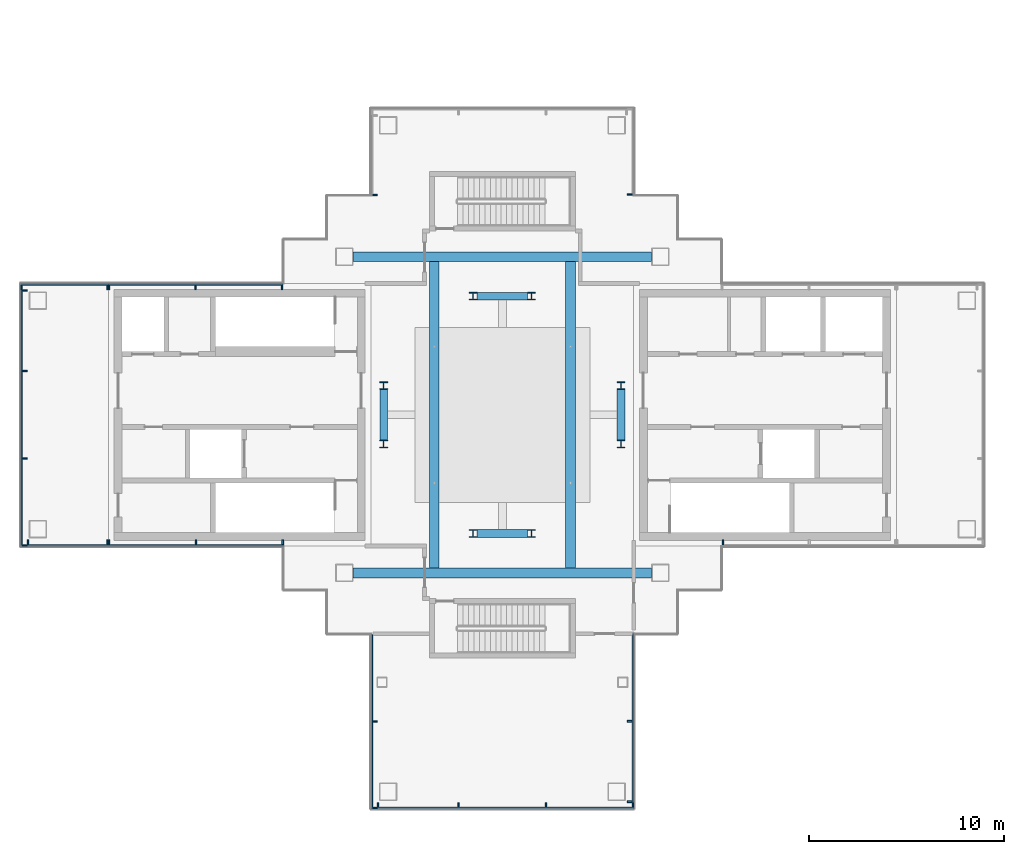
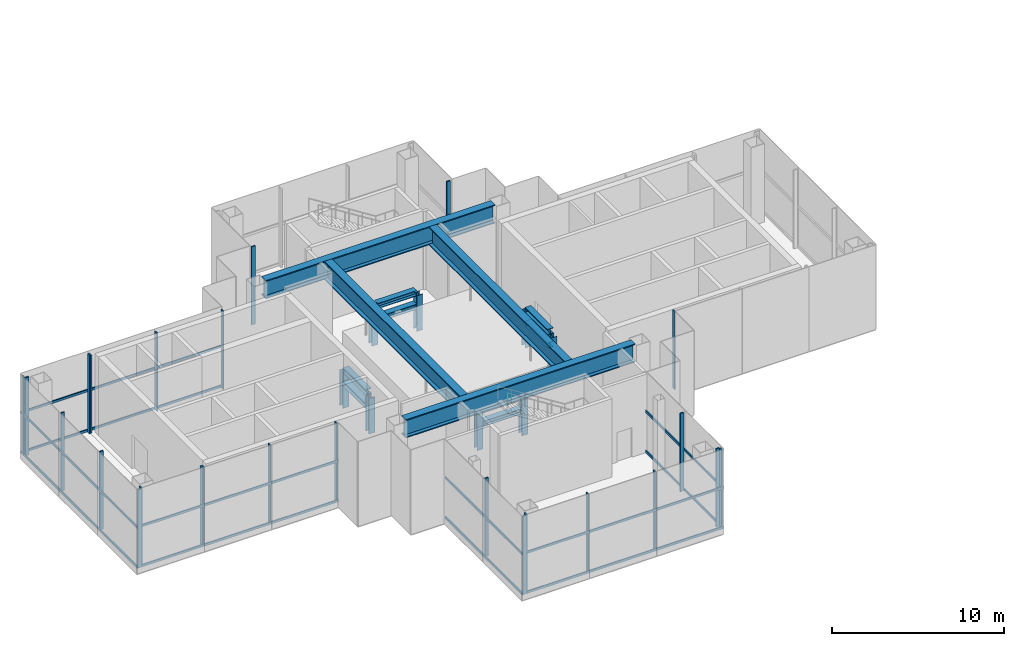
# One storey, part 3 of 17: 49 members, 12 beams, 11 elements without a shape of their own.
"""IFC4 building model written with IfcOpenShell, lengths in metres."""

from ifc_helpers import new_model, si_unit, direction, frame, origin, origin_2d, place, context, subcontext, project, spatial, rectangle, i_section, extrude, material, layer, layer_set, material_profile, profile_set, type_object, element, aggregate, save


model = new_model("IFC4")

# Units and contexts
model_context = context("Model", 3, precision=1e-05, world=origin(), true_north=direction((0.0, 1.0)))
body_context = subcontext(model_context, "Body", "Model", "MODEL_VIEW")
ifc_project = project(units=[si_unit("LENGTHUNIT", "METRE"), si_unit("AREAUNIT", "SQUARE_METRE"), si_unit("VOLUMEUNIT", "CUBIC_METRE"), si_unit("PLANEANGLEUNIT", "RADIAN"), si_unit("MASSUNIT", "GRAM", prefix="KILO")], contexts=[model_context])

# Site, building, storey
site_placement = place(None, origin())
site = spatial("IfcSite", under=ifc_project, at=site_placement, CompositionType="ELEMENT")
building_placement = place(site_placement, origin())
building = spatial("IfcBuilding", under=site, at=building_placement, Name="Shamsa Quay Exchange Towers", CompositionType="ELEMENT")
storey_placement = place(building_placement, frame((0.0, 0.0, 278.300048828125)))
storey = spatial("IfcBuildingStorey", under=building, at=storey_placement, Name="L67", CompositionType="ELEMENT", Elevation=278.300048828125)

# Curtain wall, members
ifc_material_1 = material(Name="Aluminium EN AW-6063 T6, black anodised", Category="aluminium")
ifc_layer = layer(ifc_material_1, 0.364013671875)
ifc_layer_set = layer_set([ifc_layer], Name="CW-5 LANTERN GLAZING")
curtain_wall_type = type_object("IfcCurtainWallType", Name="CW-5 LANTERN GLAZING", PredefinedType="NOTDEFINED", material=ifc_layer_set)
curtain_wall_1_placement = place(storey_placement, origin())
curtain_wall_1 = element("IfcCurtainWall", 1, at=curtain_wall_1_placement, inside=storey, type_object=curtain_wall_type, Name="CW5 T1-FLK-V-W L67", PredefinedType="NOTDEFINED")
ifc_material_profile_1 = material_profile(ifc_material_1, rectangle(XDim=0.239990234375, YDim=0.080078125, at=origin_2d()), Name="MU80x240")
ifc_profile_set_1 = profile_set([ifc_material_profile_1], Name="Aluminium EN AW-6063 T6, black anodised")
member_type_1 = type_object("IfcMemberType", Name="CW5 MULLION 80x240", PredefinedType="MULLION", material=ifc_profile_set_1)
member_1_placement = place(storey_placement, frame((-40.300048828125, -15.77294921875, 0.0)))
member_1 = element("IfcMember", 2, at=member_1_placement, type_object=member_type_1, Name="CW5 mullion", PredefinedType="MULLION", context=body_context, shape_type="SweptSolid", body=[
    extrude(rectangle(XDim=0.239990234375, YDim=0.080078125, at=origin_2d()), origin(), (0.0, 0.0, 1.0), 5.550048828125),
])
member_2_placement = place(storey_placement, frame((-40.300048828125, -20.2099609375, 0.0)))
member_2 = element("IfcMember", 3, at=member_2_placement, type_object=member_type_1, Name="CW5 mullion", PredefinedType="MULLION", context=body_context, shape_type="SweptSolid", body=[
    extrude(rectangle(XDim=0.239990234375, YDim=0.080078125, at=origin_2d()), origin(), (0.0, 0.0, 1.0), 5.550048828125),
])

curtain_wall_2_placement = place(storey_placement, origin())
curtain_wall_2 = element("IfcCurtainWall", 4, at=curtain_wall_2_placement, inside=storey, type_object=curtain_wall_type, Name="CW5 T1-END-V- L67", PredefinedType="NOTDEFINED")
member_3_placement = place(storey_placement, frame((-40.137939453125, -20.050048828125, 0.0), z_axis=(0.0, 0.0, 1.0), x_axis=(0.0, 1.0, 0.0)))
member_3 = element("IfcMember", 5, at=member_3_placement, type_object=member_type_1, Name="CW5 mullion", PredefinedType="MULLION", context=body_context, shape_type="SweptSolid", body=[
    extrude(rectangle(XDim=0.239990234375, YDim=0.080078125, at=origin_2d()), origin(), (0.0, 0.0, 1.0), 5.550048828125),
])
member_4_placement = place(storey_placement, frame((-36.0, -20.050048828125, 0.0), z_axis=(0.0, 0.0, 1.0), x_axis=(0.0, 1.0, 0.0)))
member_4 = element("IfcMember", 6, at=member_4_placement, type_object=member_type_1, Name="CW5 mullion", PredefinedType="MULLION", context=body_context, shape_type="SweptSolid", body=[
    extrude(rectangle(XDim=0.239990234375, YDim=0.080078125, at=origin_2d()), origin(), (0.0, 0.0, 1.0), 5.550048828125),
])
member_5_placement = place(storey_placement, frame((-31.5, -20.050048828125, 0.0), z_axis=(0.0, 0.0, 1.0), x_axis=(0.0, 1.0, 0.0)))
member_5 = element("IfcMember", 7, at=member_5_placement, type_object=member_type_1, Name="CW5 mullion", PredefinedType="MULLION", context=body_context, shape_type="SweptSolid", body=[
    extrude(rectangle(XDim=0.239990234375, YDim=0.080078125, at=origin_2d()), origin(), (0.0, 0.0, 1.0), 5.550048828125),
])
member_6_placement = place(storey_placement, frame((-27.0400390625, -20.050048828125, 0.0), z_axis=(0.0, 0.0, 1.0), x_axis=(0.0, 1.0, 0.0)))
member_6 = element("IfcMember", 8, at=member_6_placement, type_object=member_type_1, Name="CW5 mullion", PredefinedType="MULLION", context=body_context, shape_type="SweptSolid", body=[
    extrude(rectangle(XDim=0.239990234375, YDim=0.080078125, at=origin_2d()), origin(), (0.0, 0.0, 1.0), 5.550048828125),
])

curtain_wall_3_placement = place(storey_placement, origin())
curtain_wall_3 = element("IfcCurtainWall", 9, at=curtain_wall_3_placement, inside=storey, type_object=curtain_wall_type, Name="CW5 T1-FLK-V-E L67", PredefinedType="NOTDEFINED")
member_7_placement = place(storey_placement, frame((-27.199951171875, -19.887939453125, 0.0), z_axis=(0.0, 0.0, 1.0), x_axis=(-1.0, 0.0, 0.0)))
member_7 = element("IfcMember", 10, at=member_7_placement, type_object=member_type_1, Name="CW5 mullion", PredefinedType="MULLION", context=body_context, shape_type="SweptSolid", body=[
    extrude(rectangle(XDim=0.239990234375, YDim=0.080078125, at=origin_2d()), origin(), (0.0, 0.0, 1.0), 5.550048828125),
])
member_8_placement = place(storey_placement, frame((-27.199951171875, -15.75, 0.0), z_axis=(0.0, 0.0, 1.0), x_axis=(-1.0, 0.0, 0.0)))
member_8 = element("IfcMember", 11, at=member_8_placement, type_object=member_type_1, Name="CW5 mullion", PredefinedType="MULLION", context=body_context, shape_type="SweptSolid", body=[
    extrude(rectangle(XDim=0.239990234375, YDim=0.080078125, at=origin_2d()), origin(), (0.0, 0.0, 1.0), 5.550048828125),
])

# Curtain wall, member
curtain_wall_4_placement = place(storey_placement, origin())
curtain_wall_4 = element("IfcCurtainWall", 12, at=curtain_wall_4_placement, inside=storey, type_object=curtain_wall_type, Name="CW5 T1-FLK-U+S L67", PredefinedType="NOTDEFINED")
member_9_placement = place(storey_placement, frame((-22.4140625, -6.550048828125, 0.0), z_axis=(0.0, 0.0, 1.0), x_axis=(0.0, 1.0, 0.0)))
member_9 = element("IfcMember", 13, at=member_9_placement, type_object=member_type_1, Name="CW5 mullion", PredefinedType="MULLION", context=body_context, shape_type="SweptSolid", body=[
    extrude(rectangle(XDim=0.239990234375, YDim=0.080078125, at=origin_2d()), origin(), (0.0, 0.0, 1.0), 5.550048828125),
])
aggregate(curtain_wall_4, [member_9])

curtain_wall_5_placement = place(storey_placement, origin())
curtain_wall_5 = element("IfcCurtainWall", 14, at=curtain_wall_5_placement, inside=storey, type_object=curtain_wall_type, Name="CW5 T1-FLK-V+E L67", PredefinedType="NOTDEFINED")
member_10_placement = place(storey_placement, frame((-27.199951171875, 11.3359375, 0.0), z_axis=(0.0, 0.0, 1.0), x_axis=(-1.0, 0.0, 0.0)))
member_10 = element("IfcMember", 15, at=member_10_placement, type_object=member_type_1, Name="CW5 mullion", PredefinedType="MULLION", context=body_context, shape_type="SweptSolid", body=[
    extrude(rectangle(XDim=0.239990234375, YDim=0.080078125, at=origin_2d()), origin(), (0.0, 0.0, 1.0), 5.550048828125),
])
aggregate(curtain_wall_5, [member_10])

curtain_wall_6_placement = place(storey_placement, origin())
curtain_wall_6 = element("IfcCurtainWall", 16, at=curtain_wall_6_placement, inside=storey, type_object=curtain_wall_type, Name="CW5 T1-FLK-V+W L67", PredefinedType="NOTDEFINED")
member_11_placement = place(storey_placement, frame((-40.300048828125, 11.2900390625, 0.0)))
member_11 = element("IfcMember", 17, at=member_11_placement, type_object=member_type_1, Name="CW5 mullion", PredefinedType="MULLION", context=body_context, shape_type="SweptSolid", body=[
    extrude(rectangle(XDim=0.239990234375, YDim=0.080078125, at=origin_2d()), origin(), (0.0, 0.0, 1.0), 5.550048828125),
])
aggregate(curtain_wall_6, [member_11])

# Curtain wall, members
curtain_wall_7_placement = place(storey_placement, origin())
curtain_wall_7 = element("IfcCurtainWall", 18, at=curtain_wall_7_placement, inside=storey, type_object=curtain_wall_type, Name="CW5 T1-FLK-U-N L67", PredefinedType="NOTDEFINED")
member_12_placement = place(storey_placement, frame((-45.0859375, 6.550048828125, 0.0), z_axis=(0.0, 0.0, 1.0), x_axis=(0.0, -1.0, 0.0)))
member_12 = element("IfcMember", 19, at=member_12_placement, type_object=member_type_1, Name="CW5 mullion", PredefinedType="MULLION", context=body_context, shape_type="SweptSolid", body=[
    extrude(rectangle(XDim=0.239990234375, YDim=0.080078125, at=origin_2d()), origin(), (0.0, 0.0, 1.0), 5.550048828125),
])
member_13_placement = place(storey_placement, frame((-49.52294921875, 6.550048828125, 0.0), z_axis=(0.0, 0.0, 1.0), x_axis=(0.0, -1.0, 0.0)))
member_13 = element("IfcMember", 20, at=member_13_placement, type_object=member_type_1, Name="CW5 mullion", PredefinedType="MULLION", context=body_context, shape_type="SweptSolid", body=[
    extrude(rectangle(XDim=0.239990234375, YDim=0.080078125, at=origin_2d()), origin(), (0.0, 0.0, 1.0), 5.550048828125),
])
member_14_placement = place(storey_placement, frame((-53.9599609375, 6.550048828125, 0.0), z_axis=(0.0, 0.0, 1.0), x_axis=(0.0, -1.0, 0.0)))
member_14 = element("IfcMember", 21, at=member_14_placement, type_object=member_type_1, Name="CW5 mullion", PredefinedType="MULLION", context=body_context, shape_type="SweptSolid", body=[
    extrude(rectangle(XDim=0.239990234375, YDim=0.080078125, at=origin_2d()), origin(), (0.0, 0.0, 1.0), 5.550048828125),
])

curtain_wall_8_placement = place(storey_placement, origin())
curtain_wall_8 = element("IfcCurtainWall", 22, at=curtain_wall_8_placement, inside=storey, type_object=curtain_wall_type, Name="CW5 T1-FLK-U-N L67", PredefinedType="NOTDEFINED")
member_15_placement = place(storey_placement, frame((-54.0400390625, 6.550048828125, 0.0), z_axis=(0.0, 0.0, 1.0), x_axis=(0.0, -1.0, 0.0)))
member_15 = element("IfcMember", 23, at=member_15_placement, type_object=member_type_1, Name="CW5 mullion", PredefinedType="MULLION", context=body_context, shape_type="SweptSolid", body=[
    extrude(rectangle(XDim=0.239990234375, YDim=0.080078125, at=origin_2d()), origin(), (0.0, 0.0, 1.0), 5.550048828125),
])
member_16_placement = place(storey_placement, frame((-58.4599609375, 6.550048828125, 0.0), z_axis=(0.0, 0.0, 1.0), x_axis=(0.0, -1.0, 0.0)))
member_16 = element("IfcMember", 24, at=member_16_placement, type_object=member_type_1, Name="CW5 mullion", PredefinedType="MULLION", context=body_context, shape_type="SweptSolid", body=[
    extrude(rectangle(XDim=0.239990234375, YDim=0.080078125, at=origin_2d()), origin(), (0.0, 0.0, 1.0), 5.550048828125),
])

curtain_wall_9_placement = place(storey_placement, origin())
curtain_wall_9 = element("IfcCurtainWall", 25, at=curtain_wall_9_placement, inside=storey, type_object=curtain_wall_type, Name="CW5 T1-END-U- L67", PredefinedType="NOTDEFINED")
member_17_placement = place(storey_placement, frame((-58.300048828125, 6.387939453125, 0.0)))
member_17 = element("IfcMember", 26, at=member_17_placement, type_object=member_type_1, Name="CW5 mullion", PredefinedType="MULLION", context=body_context, shape_type="SweptSolid", body=[
    extrude(rectangle(XDim=0.239990234375, YDim=0.080078125, at=origin_2d()), origin(), (0.0, 0.0, 1.0), 5.550048828125),
])
member_18_placement = place(storey_placement, frame((-58.300048828125, 2.25, 0.0)))
member_18 = element("IfcMember", 27, at=member_18_placement, type_object=member_type_1, Name="CW5 mullion", PredefinedType="MULLION", context=body_context, shape_type="SweptSolid", body=[
    extrude(rectangle(XDim=0.239990234375, YDim=0.080078125, at=origin_2d()), origin(), (0.0, 0.0, 1.0), 5.550048828125),
])
member_19_placement = place(storey_placement, frame((-58.300048828125, -2.25, 0.0)))
member_19 = element("IfcMember", 28, at=member_19_placement, type_object=member_type_1, Name="CW5 mullion", PredefinedType="MULLION", context=body_context, shape_type="SweptSolid", body=[
    extrude(rectangle(XDim=0.239990234375, YDim=0.080078125, at=origin_2d()), origin(), (0.0, 0.0, 1.0), 5.550048828125),
])
member_20_placement = place(storey_placement, frame((-58.300048828125, -6.7099609375, 0.0)))
member_20 = element("IfcMember", 29, at=member_20_placement, type_object=member_type_1, Name="CW5 mullion", PredefinedType="MULLION", context=body_context, shape_type="SweptSolid", body=[
    extrude(rectangle(XDim=0.239990234375, YDim=0.080078125, at=origin_2d()), origin(), (0.0, 0.0, 1.0), 5.550048828125),
])

curtain_wall_10_placement = place(storey_placement, origin())
curtain_wall_10 = element("IfcCurtainWall", 30, at=curtain_wall_10_placement, inside=storey, type_object=curtain_wall_type, Name="CW5 T1-FLK-U-S L67", PredefinedType="NOTDEFINED")
member_21_placement = place(storey_placement, frame((-58.137939453125, -6.550048828125, 0.0), z_axis=(0.0, 0.0, 1.0), x_axis=(0.0, 1.0, 0.0)))
member_21 = element("IfcMember", 31, at=member_21_placement, type_object=member_type_1, Name="CW5 mullion", PredefinedType="MULLION", context=body_context, shape_type="SweptSolid", body=[
    extrude(rectangle(XDim=0.239990234375, YDim=0.080078125, at=origin_2d()), origin(), (0.0, 0.0, 1.0), 5.550048828125),
])
member_22_placement = place(storey_placement, frame((-54.0400390625, -6.550048828125, 0.0), z_axis=(0.0, 0.0, 1.0), x_axis=(0.0, 1.0, 0.0)))
member_22 = element("IfcMember", 32, at=member_22_placement, type_object=member_type_1, Name="CW5 mullion", PredefinedType="MULLION", context=body_context, shape_type="SweptSolid", body=[
    extrude(rectangle(XDim=0.239990234375, YDim=0.080078125, at=origin_2d()), origin(), (0.0, 0.0, 1.0), 5.550048828125),
])

curtain_wall_11_placement = place(storey_placement, origin())
curtain_wall_11 = element("IfcCurtainWall", 33, at=curtain_wall_11_placement, inside=storey, type_object=curtain_wall_type, Name="CW5 T1-FLK-U-S L67", PredefinedType="NOTDEFINED")
member_23_placement = place(storey_placement, frame((-53.9599609375, -6.550048828125, 0.0), z_axis=(0.0, 0.0, 1.0), x_axis=(0.0, 1.0, 0.0)))
member_23 = element("IfcMember", 34, at=member_23_placement, type_object=member_type_1, Name="CW5 mullion", PredefinedType="MULLION", context=body_context, shape_type="SweptSolid", body=[
    extrude(rectangle(XDim=0.239990234375, YDim=0.080078125, at=origin_2d()), origin(), (0.0, 0.0, 1.0), 5.550048828125),
])
member_24_placement = place(storey_placement, frame((-49.5, -6.550048828125, 0.0), z_axis=(0.0, 0.0, 1.0), x_axis=(0.0, 1.0, 0.0)))
member_24 = element("IfcMember", 35, at=member_24_placement, type_object=member_type_1, Name="CW5 mullion", PredefinedType="MULLION", context=body_context, shape_type="SweptSolid", body=[
    extrude(rectangle(XDim=0.239990234375, YDim=0.080078125, at=origin_2d()), origin(), (0.0, 0.0, 1.0), 5.550048828125),
])
member_25_placement = place(storey_placement, frame((-45.0400390625, -6.550048828125, 0.0), z_axis=(0.0, 0.0, 1.0), x_axis=(0.0, 1.0, 0.0)))
member_25 = element("IfcMember", 36, at=member_25_placement, type_object=member_type_1, Name="CW5 mullion", PredefinedType="MULLION", context=body_context, shape_type="SweptSolid", body=[
    extrude(rectangle(XDim=0.239990234375, YDim=0.080078125, at=origin_2d()), origin(), (0.0, 0.0, 1.0), 5.550048828125),
])

# Member
ifc_material_profile_2 = material_profile(ifc_material_1, rectangle(XDim=0.080078125, YDim=0.159912109375, at=origin_2d()), Name="TR160x80")
ifc_profile_set_2 = profile_set([ifc_material_profile_2], Name="Aluminium EN AW-6063 T6, black anodised")
member_type_2 = type_object("IfcMemberType", Name="CW5 TRANSOM 160x80", PredefinedType="USERDEFINED", material=ifc_profile_set_2)
member_26_placement = place(storey_placement, frame((-40.4599609375, -11.2958984375, 0.079833984375), z_axis=(0.0, -1.0, 0.0), x_axis=(1.0, 0.0, 0.0)))
member_26 = element("IfcMember", 37, at=member_26_placement, type_object=member_type_2, Name="CW5 transom", ObjectType="TRANSOM", PredefinedType="USERDEFINED", context=body_context, shape_type="SweptSolid", body=[
    extrude(rectangle(XDim=0.080078125, YDim=0.159912109375, at=origin_2d()), origin(), (0.0, 0.0, 1.0), 8.9541015625),
])

member_27_placement = place(storey_placement, frame((-40.4599609375, -11.2958984375, 2.905029296875), z_axis=(0.0, -1.0, 0.0), x_axis=(1.0, 0.0, 0.0)))
member_27 = element("IfcMember", 38, at=member_27_placement, type_object=member_type_2, Name="CW5 transom", ObjectType="TRANSOM", PredefinedType="USERDEFINED", context=body_context, shape_type="SweptSolid", body=[
    extrude(rectangle(XDim=0.080078125, YDim=0.159912109375, at=origin_2d()), origin(), (0.0, 0.0, 1.0), 8.9541015625),
])

aggregate(curtain_wall_1, [member_26, member_27, member_1, member_2])

member_28_placement = place(storey_placement, frame((-40.177978515625, -20.2099609375, 0.079833984375), z_axis=(1.0, 0.0, 0.0), x_axis=(0.0, 1.0, 0.0)))
member_28 = element("IfcMember", 39, at=member_28_placement, type_object=member_type_2, Name="CW5 transom", ObjectType="TRANSOM", PredefinedType="USERDEFINED", context=body_context, shape_type="SweptSolid", body=[
    extrude(rectangle(XDim=0.080078125, YDim=0.159912109375, at=origin_2d()), origin(), (0.0, 0.0, 1.0), 13.177978515625),
])

member_29_placement = place(storey_placement, frame((-40.177978515625, -20.2099609375, 2.905029296875), z_axis=(1.0, 0.0, 0.0), x_axis=(0.0, 1.0, 0.0)))
member_29 = element("IfcMember", 40, at=member_29_placement, type_object=member_type_2, Name="CW5 transom", ObjectType="TRANSOM", PredefinedType="USERDEFINED", context=body_context, shape_type="SweptSolid", body=[
    extrude(rectangle(XDim=0.080078125, YDim=0.159912109375, at=origin_2d()), origin(), (0.0, 0.0, 1.0), 13.177978515625),
])

aggregate(curtain_wall_2, [member_28, member_29, member_3, member_4, member_5, member_6])

member_30_placement = place(storey_placement, frame((-27.0400390625, -19.927978515625, 0.079833984375), z_axis=(0.0, 1.0, 0.0), x_axis=(-1.0, 0.0, 0.0)))
member_30 = element("IfcMember", 41, at=member_30_placement, type_object=member_type_2, Name="CW5 transom", ObjectType="TRANSOM", PredefinedType="USERDEFINED", context=body_context, shape_type="SweptSolid", body=[
    extrude(rectangle(XDim=0.080078125, YDim=0.159912109375, at=origin_2d()), origin(), (0.0, 0.0, 1.0), 8.677978515625),
])

member_31_placement = place(storey_placement, frame((-27.0400390625, -19.927978515625, 2.905029296875), z_axis=(0.0, 1.0, 0.0), x_axis=(-1.0, 0.0, 0.0)))
member_31 = element("IfcMember", 42, at=member_31_placement, type_object=member_type_2, Name="CW5 transom", ObjectType="TRANSOM", PredefinedType="USERDEFINED", context=body_context, shape_type="SweptSolid", body=[
    extrude(rectangle(XDim=0.080078125, YDim=0.159912109375, at=origin_2d()), origin(), (0.0, 0.0, 1.0), 8.677978515625),
])

aggregate(curtain_wall_3, [member_30, member_31, member_7, member_8])

member_32_placement = place(storey_placement, frame((-45.0458984375, 6.7099609375, 0.079833984375), z_axis=(-1.0, 0.0, 0.0), x_axis=(0.0, -1.0, 0.0)))
member_32 = element("IfcMember", 43, at=member_32_placement, type_object=member_type_2, Name="CW5 transom", ObjectType="TRANSOM", PredefinedType="USERDEFINED", context=body_context, shape_type="SweptSolid", body=[
    extrude(rectangle(XDim=0.080078125, YDim=0.159912109375, at=origin_2d()), origin(), (0.0, 0.0, 1.0), 8.9541015625),
])

member_33_placement = place(storey_placement, frame((-45.0458984375, 6.7099609375, 2.905029296875), z_axis=(-1.0, 0.0, 0.0), x_axis=(0.0, -1.0, 0.0)))
member_33 = element("IfcMember", 44, at=member_33_placement, type_object=member_type_2, Name="CW5 transom", ObjectType="TRANSOM", PredefinedType="USERDEFINED", context=body_context, shape_type="SweptSolid", body=[
    extrude(rectangle(XDim=0.080078125, YDim=0.159912109375, at=origin_2d()), origin(), (0.0, 0.0, 1.0), 8.9541015625),
])

aggregate(curtain_wall_7, [member_32, member_33, member_12, member_13, member_14])

member_34_placement = place(storey_placement, frame((-54.0, 6.7099609375, 0.079833984375), z_axis=(-1.0, 0.0, 0.0), x_axis=(0.0, -1.0, 0.0)))
member_34 = element("IfcMember", 45, at=member_34_placement, type_object=member_type_2, Name="CW5 transom", ObjectType="TRANSOM", PredefinedType="USERDEFINED", context=body_context, shape_type="SweptSolid", body=[
    extrude(rectangle(XDim=0.080078125, YDim=0.159912109375, at=origin_2d()), origin(), (0.0, 0.0, 1.0), 4.5),
])

member_35_placement = place(storey_placement, frame((-54.0, 6.7099609375, 2.905029296875), z_axis=(-1.0, 0.0, 0.0), x_axis=(0.0, -1.0, 0.0)))
member_35 = element("IfcMember", 46, at=member_35_placement, type_object=member_type_2, Name="CW5 transom", ObjectType="TRANSOM", PredefinedType="USERDEFINED", context=body_context, shape_type="SweptSolid", body=[
    extrude(rectangle(XDim=0.080078125, YDim=0.159912109375, at=origin_2d()), origin(), (0.0, 0.0, 1.0), 4.5),
])

aggregate(curtain_wall_8, [member_34, member_35, member_15, member_16])

member_36_placement = place(storey_placement, frame((-58.4599609375, 6.427978515625, 0.079833984375), z_axis=(0.0, -1.0, 0.0), x_axis=(1.0, 0.0, 0.0)))
member_36 = element("IfcMember", 47, at=member_36_placement, type_object=member_type_2, Name="CW5 transom", ObjectType="TRANSOM", PredefinedType="USERDEFINED", context=body_context, shape_type="SweptSolid", body=[
    extrude(rectangle(XDim=0.080078125, YDim=0.159912109375, at=origin_2d()), origin(), (0.0, 0.0, 1.0), 13.177978515625),
])

member_37_placement = place(storey_placement, frame((-58.4599609375, 6.427978515625, 2.905029296875), z_axis=(0.0, -1.0, 0.0), x_axis=(1.0, 0.0, 0.0)))
member_37 = element("IfcMember", 48, at=member_37_placement, type_object=member_type_2, Name="CW5 transom", ObjectType="TRANSOM", PredefinedType="USERDEFINED", context=body_context, shape_type="SweptSolid", body=[
    extrude(rectangle(XDim=0.080078125, YDim=0.159912109375, at=origin_2d()), origin(), (0.0, 0.0, 1.0), 13.177978515625),
])

aggregate(curtain_wall_9, [member_36, member_37, member_17, member_18, member_19, member_20])

member_38_placement = place(storey_placement, frame((-58.177978515625, -6.7099609375, 0.079833984375), z_axis=(1.0, 0.0, 0.0), x_axis=(0.0, 1.0, 0.0)))
member_38 = element("IfcMember", 49, at=member_38_placement, type_object=member_type_2, Name="CW5 transom", ObjectType="TRANSOM", PredefinedType="USERDEFINED", context=body_context, shape_type="SweptSolid", body=[
    extrude(rectangle(XDim=0.080078125, YDim=0.159912109375, at=origin_2d()), origin(), (0.0, 0.0, 1.0), 4.177978515625),
])

member_39_placement = place(storey_placement, frame((-58.177978515625, -6.7099609375, 2.905029296875), z_axis=(1.0, 0.0, 0.0), x_axis=(0.0, 1.0, 0.0)))
member_39 = element("IfcMember", 50, at=member_39_placement, type_object=member_type_2, Name="CW5 transom", ObjectType="TRANSOM", PredefinedType="USERDEFINED", context=body_context, shape_type="SweptSolid", body=[
    extrude(rectangle(XDim=0.080078125, YDim=0.159912109375, at=origin_2d()), origin(), (0.0, 0.0, 1.0), 4.177978515625),
])

aggregate(curtain_wall_10, [member_38, member_39, member_21, member_22])

member_40_placement = place(storey_placement, frame((-54.0, -6.7099609375, 0.079833984375), z_axis=(1.0, 0.0, 0.0), x_axis=(0.0, 1.0, 0.0)))
member_40 = element("IfcMember", 51, at=member_40_placement, type_object=member_type_2, Name="CW5 transom", ObjectType="TRANSOM", PredefinedType="USERDEFINED", context=body_context, shape_type="SweptSolid", body=[
    extrude(rectangle(XDim=0.080078125, YDim=0.159912109375, at=origin_2d()), origin(), (0.0, 0.0, 1.0), 9.0),
])

member_41_placement = place(storey_placement, frame((-54.0, -6.7099609375, 2.905029296875), z_axis=(1.0, 0.0, 0.0), x_axis=(0.0, 1.0, 0.0)))
member_41 = element("IfcMember", 52, at=member_41_placement, type_object=member_type_2, Name="CW5 transom", ObjectType="TRANSOM", PredefinedType="USERDEFINED", context=body_context, shape_type="SweptSolid", body=[
    extrude(rectangle(XDim=0.080078125, YDim=0.159912109375, at=origin_2d()), origin(), (0.0, 0.0, 1.0), 9.0),
])

aggregate(curtain_wall_11, [member_40, member_41, member_23, member_24, member_25])

# Beams
ifc_material_2 = material(Name="Steel S355", Category="steel")
ifc_material_profile_3 = material_profile(ifc_material_2, i_section(OverallWidth=0.393798828125, OverallDepth=0.37548828125, WebThickness=0.017333984375, FlangeThickness=0.027587890625, at=origin_2d()), Name="W14x145")
ifc_profile_set_3 = profile_set([ifc_material_profile_3], Name="Steel S355")
beam_type_1 = type_object("IfcBeamType", Name="Damper frame beam W14x145", PredefinedType="BEAM", material=ifc_profile_set_3)
for number, where, z_axis, x_axis, name in (
    (53, (-27.64990234375, -1.303466796875, 1.75), (0.0, 1.0, 0.0), (-1.0, 0.0, 0.0), "Damper support frame beam T1 E"),
    (54, (-27.64990234375, -1.303466796875, 2.712158203125), (0.0, 1.0, 0.0), (-1.0, 0.0, 0.0), "Damper support frame beam T1 E"),
    (55, (-39.85009765625, -1.303466796875, 1.75), (0.0, 1.0, 0.0), (-1.0, 0.0, 0.0), "Damper support frame beam T1 W"),
    (56, (-39.85009765625, -1.303466796875, 2.712158203125), (0.0, 1.0, 0.0), (-1.0, 0.0, 0.0), "Damper support frame beam T1 W"),
):
    element("IfcBeam", number, at=place(storey_placement, frame(where, z_axis=z_axis, x_axis=x_axis)), inside=storey, type_object=beam_type_1, Name=name, PredefinedType="BEAM", context=body_context, shape_type="SweptSolid", body=[
        extrude(i_section(OverallWidth=0.393798828125, OverallDepth=0.37548828125, WebThickness=0.017333984375, FlangeThickness=0.027587890625, at=origin_2d()), origin(), (0.0, 0.0, 1.0), 2.60693359375),
    ])
for number, where, z_axis, x_axis, name in (
    (57, (-35.050537109375, 6.10009765625, 1.75), (1.0, 0.0, 0.0), (0.0, 1.0, 0.0), "Damper support frame beam T1 N"),
    (58, (-35.050537109375, 6.10009765625, 2.712158203125), (1.0, 0.0, 0.0), (0.0, 1.0, 0.0), "Damper support frame beam T1 N"),
    (59, (-35.050537109375, -6.10009765625, 1.75), (1.0, 0.0, 0.0), (0.0, 1.0, 0.0), "Damper support frame beam T1 S"),
    (60, (-35.050537109375, -6.10009765625, 2.712158203125), (1.0, 0.0, 0.0), (0.0, 1.0, 0.0), "Damper support frame beam T1 S"),
):
    element("IfcBeam", number, at=place(storey_placement, frame(where, z_axis=z_axis, x_axis=x_axis)), inside=storey, type_object=beam_type_1, Name=name, PredefinedType="BEAM", context=body_context, shape_type="SweptSolid", body=[
        extrude(i_section(OverallWidth=0.393798828125, OverallDepth=0.37548828125, WebThickness=0.017333984375, FlangeThickness=0.027587890625, at=origin_2d()), origin(), (0.0, 0.0, 1.0), 2.60107421875),
    ])

# Members
ifc_material_profile_4 = material_profile(ifc_material_2, i_section(OverallWidth=0.39892578125, OverallDepth=0.393310546875, WebThickness=0.022705078125, FlangeThickness=0.03662109375, at=origin_2d()), Name="W14x193")
ifc_profile_set_4 = profile_set([ifc_material_profile_4], Name="Steel S355")
member_type_3 = type_object("IfcMemberType", Name="Damper frame post W14x193", PredefinedType="POST", material=ifc_profile_set_4)
for number, where, name in (
    (61, (-27.64990234375, -1.5, 0.0), "Damper support frame post T1 E"),
    (62, (-27.64990234375, 1.5, 0.0), "Damper support frame post T1 E"),
    (63, (-39.85009765625, -1.5, 0.0), "Damper support frame post T1 W"),
    (64, (-39.85009765625, 1.5, 0.0), "Damper support frame post T1 W"),
    (65, (-35.25, 6.10009765625, 0.0), "Damper support frame post T1 N"),
    (66, (-32.25, 6.10009765625, 0.0), "Damper support frame post T1 N"),
    (67, (-35.25, -6.10009765625, 0.0), "Damper support frame post T1 S"),
    (68, (-32.25, -6.10009765625, 0.0), "Damper support frame post T1 S"),
):
    element("IfcMember", number, at=place(storey_placement, frame(where)), inside=storey, type_object=member_type_3, Name=name, PredefinedType="POST", context=body_context, shape_type="SweptSolid", body=[
        extrude(i_section(OverallWidth=0.39892578125, OverallDepth=0.393310546875, WebThickness=0.022705078125, FlangeThickness=0.03662109375, at=origin_2d()), origin(), (0.0, 0.0, 1.0), 2.524658203125),
    ])

# Beams
ifc_material_profile_5 = material_profile(ifc_material_2, i_section(OverallWidth=0.5, OverallDepth=1.300048828125, WebThickness=0.0400390625, FlangeThickness=0.070068359375, at=origin_2d()), Name="PG1300x500x40x70")
ifc_profile_set_5 = profile_set([ifc_material_profile_5], Name="Steel S355")
beam_type_2 = type_object("IfcBeamType", Name="Damper support girder PG1300x500x40x70", PredefinedType="BEAM", material=ifc_profile_set_5)
for number, where, z_axis, x_axis, name in (
    (69, (-41.425048828125, -8.125, 4.89990234375), (1.0, 0.0, 0.0), (0.0, 1.0, 0.0), "Damper support girder T1"),
    (70, (-41.425048828125, 8.125, 4.89990234375), (1.0, 0.0, 0.0), (0.0, 1.0, 0.0), "Damper support girder T1"),
):
    element("IfcBeam", number, at=place(storey_placement, frame(where, z_axis=z_axis, x_axis=x_axis)), inside=storey, type_object=beam_type_2, Name=name, PredefinedType="BEAM", context=body_context, shape_type="SweptSolid", body=[
        extrude(i_section(OverallWidth=0.5, OverallDepth=1.300048828125, WebThickness=0.0400390625, FlangeThickness=0.070068359375, at=origin_2d()), origin(), (0.0, 0.0, 1.0), 15.35009765625),
    ])
for number, where, z_axis, x_axis, name in (
    (71, (-37.25, -7.875, 4.89990234375), (0.0, 1.0, 0.0), (-1.0, 0.0, 0.0), "Damper cross girder T1"),
    (72, (-30.25, -7.875, 4.89990234375), (0.0, 1.0, 0.0), (-1.0, 0.0, 0.0), "Damper cross girder T1"),
):
    element("IfcBeam", number, at=place(storey_placement, frame(where, z_axis=z_axis, x_axis=x_axis)), inside=storey, type_object=beam_type_2, Name=name, PredefinedType="BEAM", context=body_context, shape_type="SweptSolid", body=[
        extrude(i_section(OverallWidth=0.5, OverallDepth=1.300048828125, WebThickness=0.0400390625, FlangeThickness=0.070068359375, at=origin_2d()), origin(), (0.0, 0.0, 1.0), 15.75),
    ])

save(model, "model.ifc")
